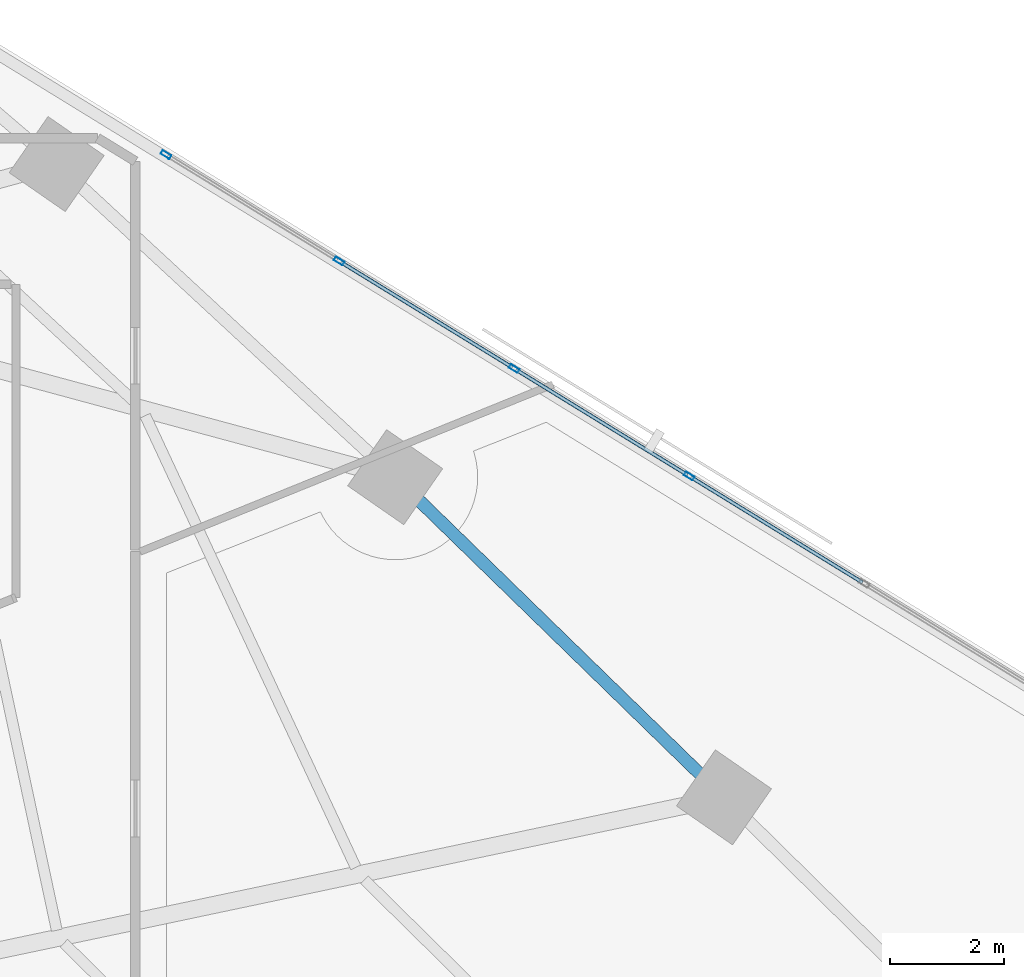
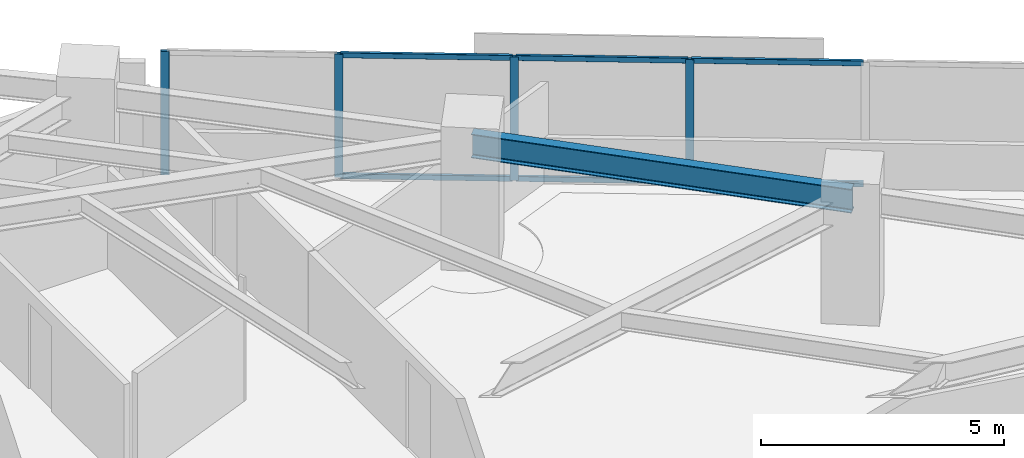
# One storey, part 6 of 20: 10 members, 1 beam, 1 element without a shape of its own.
"""IFC4 building model written with IfcOpenShell, lengths in metres."""

from ifc_helpers import new_model, si_unit, direction, frame, origin, origin_2d, place, context, subcontext, project, spatial, hollow_rectangle, i_section, extrude, material, material_profile, profile_set, type_object, element, aggregate, save


model = new_model("IFC4")

# Units and contexts
model_context = context("Model", 3, precision=1e-05, world=origin(), true_north=direction((0.0, 1.0)))
body_context = subcontext(model_context, "Body", "Model", "MODEL_VIEW")
ifc_project = project(units=[si_unit("LENGTHUNIT", "METRE"), si_unit("AREAUNIT", "SQUARE_METRE"), si_unit("VOLUMEUNIT", "CUBIC_METRE"), si_unit("PLANEANGLEUNIT", "RADIAN"), si_unit("MASSUNIT", "GRAM", prefix="KILO")], contexts=[model_context])

# Site, building, storey
site_placement = place(None, origin())
site = spatial("IfcSite", under=ifc_project, at=site_placement, CompositionType="ELEMENT")
building_placement = place(site_placement, origin())
building = spatial("IfcBuilding", under=site, at=building_placement, Name="Narakoshi Arena Tower", CompositionType="ELEMENT")
storey_placement = place(building_placement, frame((0.0, 0.0, 124.5)))
storey = spatial("IfcBuildingStorey", under=building, at=storey_placement, Name="L33", CompositionType="ELEMENT", Elevation=124.5)

# Beam
ifc_material_1 = material(Name="Structural steel S355J2", Category="steel")
ifc_material_profile_1 = material_profile(ifc_material_1, i_section(OverallWidth=0.219970703125, OverallDepth=0.60009765625, WebThickness=0.011962890625, FlangeThickness=0.01904296875, FilletRadius=0.02392578125, at=origin_2d()), Name="IPE600")
ifc_profile_set_1 = profile_set([ifc_material_profile_1], Name="Structural steel S355J2")
beam_type = type_object("IfcBeamType", Name="BM-EDGE-600", PredefinedType="BEAM", material=ifc_profile_set_1)
beam_placement = place(storey_placement, frame((104.42041015625, 47.33056640625, 2.800048828125), z_axis=(-0.71641187053, 0.697677598726, 0.0), x_axis=(-0.697677598726, -0.71641187053, 0.0)))
element("IfcBeam", 1, at=beam_placement, inside=storey, type_object=beam_type, Name="L33 Perimeter Edge Girder 05", PredefinedType="BEAM", context=body_context, shape_type="SweptSolid", body=[
    extrude(i_section(OverallWidth=0.219970703125, OverallDepth=0.60009765625, WebThickness=0.011962890625, FlangeThickness=0.01904296875, FilletRadius=0.02392578125, at=origin_2d()), origin(), (0.0, 0.0, 1.0), 8.066650390625),
])

# Curtain wall, members
ifc_material_2 = material(Name="Anodised bronze aluminium 6063-T6", Category="aluminium")
curtain_wall_type = type_object("IfcCurtainWallType", Name="CW-HYP-LOW", PredefinedType="NOTDEFINED", material=ifc_material_2)
curtain_wall_placement = place(storey_placement, origin())
curtain_wall = element("IfcCurtainWall", 2, at=curtain_wall_placement, inside=storey, type_object=curtain_wall_type, Name="L33 Folded Hypotenuse Curtain Wall 1-1", PredefinedType="NOTDEFINED")
ifc_material_profile_2 = material_profile(ifc_material_2, hollow_rectangle(XDim=0.074951171875, YDim=0.179931640625, WallThickness=0.00390625, OuterFilletRadius=0.0048828125, at=origin_2d()), Name="MUL180x75x4")
ifc_profile_set_2 = profile_set([ifc_material_profile_2], Name="Anodised bronze aluminium 6063-T6")
member_type_1 = type_object("IfcMemberType", Name="MEM-MUL-180", PredefinedType="MULLION", material=ifc_profile_set_2)
member_1_placement = place(storey_placement, frame((103.81005859375, 52.97802734375, 0.0), z_axis=(0.0, 0.0, 1.0), x_axis=(-0.523357676535, -0.852113104237, 0.0)))
member_1 = element("IfcMember", 3, at=member_1_placement, type_object=member_type_1, Name="CW-01 mullion 6", PredefinedType="MULLION", context=body_context, shape_type="SweptSolid", body=[
    extrude(hollow_rectangle(XDim=0.074951171875, YDim=0.179931640625, WallThickness=0.00390625, OuterFilletRadius=0.0048828125, at=origin_2d()), origin(), (0.0, 0.0, 1.0), 3.10009765625),
])
member_2_placement = place(storey_placement, frame((100.733154296875, 54.86767578125, 0.0), z_axis=(0.0, 0.0, 1.0), x_axis=(-0.523357676535, -0.852113104237, 0.0)))
member_2 = element("IfcMember", 4, at=member_2_placement, type_object=member_type_1, Name="CW-01 mullion 7", PredefinedType="MULLION", context=body_context, shape_type="SweptSolid", body=[
    extrude(hollow_rectangle(XDim=0.074951171875, YDim=0.179931640625, WallThickness=0.00390625, OuterFilletRadius=0.0048828125, at=origin_2d()), origin(), (0.0, 0.0, 1.0), 3.10009765625),
])
member_3_placement = place(storey_placement, frame((97.65625, 56.757568359375, 0.0), z_axis=(0.0, 0.0, 1.0), x_axis=(-0.523357676535, -0.852113104237, 0.0)))
member_3 = element("IfcMember", 5, at=member_3_placement, type_object=member_type_1, Name="CW-01 mullion 8", PredefinedType="MULLION", context=body_context, shape_type="SweptSolid", body=[
    extrude(hollow_rectangle(XDim=0.074951171875, YDim=0.179931640625, WallThickness=0.00390625, OuterFilletRadius=0.0048828125, at=origin_2d()), origin(), (0.0, 0.0, 1.0), 3.10009765625),
])
member_4_placement = place(storey_placement, frame((94.611328125, 58.627685546875, 0.0), z_axis=(0.0, 0.0, 1.0), x_axis=(-0.523357676535, -0.852113104237, 0.0)))
member_4 = element("IfcMember", 6, at=member_4_placement, type_object=member_type_1, Name="CW-01 mullion 9", PredefinedType="MULLION", context=body_context, shape_type="SweptSolid", body=[
    extrude(hollow_rectangle(XDim=0.074951171875, YDim=0.179931640625, WallThickness=0.00390625, OuterFilletRadius=0.0048828125, at=origin_2d()), origin(), (0.0, 0.0, 1.0), 3.10009765625),
])
ifc_material_profile_3 = material_profile(ifc_material_2, hollow_rectangle(XDim=0.06494140625, YDim=0.1298828125, WallThickness=0.00390625, OuterFilletRadius=0.0048828125, at=origin_2d()), Name="TRN130x65x4")
ifc_profile_set_3 = profile_set([ifc_material_profile_3], Name="Anodised bronze aluminium 6063-T6")
member_type_2 = type_object("IfcMemberType", Name="MEM-TRN-130", PredefinedType="USERDEFINED", material=ifc_profile_set_3)
member_5_placement = place(storey_placement, frame((106.85498046875, 51.107666015625, 0.032470703125), z_axis=(-0.852103699909, 0.523372988032, 0.0), x_axis=(-0.523372988032, -0.852103699909, 0.0)))
member_5 = element("IfcMember", 7, at=member_5_placement, type_object=member_type_2, Name="CW-01 transom 5.1", ObjectType="TRANSOM", PredefinedType="USERDEFINED", context=body_context, shape_type="SweptSolid", body=[
    extrude(hollow_rectangle(XDim=0.06494140625, YDim=0.1298828125, WallThickness=0.00390625, OuterFilletRadius=0.0048828125, at=origin_2d()), origin(), (0.0, 0.0, 1.0), 3.535888671875),
])
member_6_placement = place(storey_placement, frame((106.85498046875, 51.107666015625, 3.0673828125), z_axis=(-0.852103699909, 0.523372988032, 0.0), x_axis=(-0.523372988032, -0.852103699909, 0.0)))
member_6 = element("IfcMember", 8, at=member_6_placement, type_object=member_type_2, Name="CW-01 transom 5.2", ObjectType="TRANSOM", PredefinedType="USERDEFINED", context=body_context, shape_type="SweptSolid", body=[
    extrude(hollow_rectangle(XDim=0.06494140625, YDim=0.1298828125, WallThickness=0.00390625, OuterFilletRadius=0.0048828125, at=origin_2d()), origin(), (0.0, 0.0, 1.0), 3.535888671875),
])
member_7_placement = place(storey_placement, frame((103.778076171875, 52.99755859375, 0.032470703125), z_axis=(-0.852103699909, 0.523372988032, 0.0), x_axis=(-0.523372988032, -0.852103699909, 0.0)))
member_7 = element("IfcMember", 9, at=member_7_placement, type_object=member_type_2, Name="CW-01 transom 6.1", ObjectType="TRANSOM", PredefinedType="USERDEFINED", context=body_context, shape_type="SweptSolid", body=[
    extrude(hollow_rectangle(XDim=0.06494140625, YDim=0.1298828125, WallThickness=0.00390625, OuterFilletRadius=0.0048828125, at=origin_2d()), origin(), (0.0, 0.0, 1.0), 3.535888671875),
])
member_8_placement = place(storey_placement, frame((103.778076171875, 52.99755859375, 3.0673828125), z_axis=(-0.852103699909, 0.523372988032, 0.0), x_axis=(-0.523372988032, -0.852103699909, 0.0)))
member_8 = element("IfcMember", 10, at=member_8_placement, type_object=member_type_2, Name="CW-01 transom 6.2", ObjectType="TRANSOM", PredefinedType="USERDEFINED", context=body_context, shape_type="SweptSolid", body=[
    extrude(hollow_rectangle(XDim=0.06494140625, YDim=0.1298828125, WallThickness=0.00390625, OuterFilletRadius=0.0048828125, at=origin_2d()), origin(), (0.0, 0.0, 1.0), 3.535888671875),
])
member_9_placement = place(storey_placement, frame((100.701171875, 54.887451171875, 0.032470703125), z_axis=(-0.852134492111, 0.523322851933, 0.0), x_axis=(-0.523322851933, -0.852134492111, 0.0)))
member_9 = element("IfcMember", 11, at=member_9_placement, type_object=member_type_2, Name="CW-01 transom 7.1", ObjectType="TRANSOM", PredefinedType="USERDEFINED", context=body_context, shape_type="SweptSolid", body=[
    extrude(hollow_rectangle(XDim=0.06494140625, YDim=0.1298828125, WallThickness=0.00390625, OuterFilletRadius=0.0048828125, at=origin_2d()), origin(), (0.0, 0.0, 1.0), 3.53564453125),
])
member_10_placement = place(storey_placement, frame((100.701171875, 54.887451171875, 3.0673828125), z_axis=(-0.852134492111, 0.523322851933, 0.0), x_axis=(-0.523322851933, -0.852134492111, 0.0)))
member_10 = element("IfcMember", 12, at=member_10_placement, type_object=member_type_2, Name="CW-01 transom 7.2", ObjectType="TRANSOM", PredefinedType="USERDEFINED", context=body_context, shape_type="SweptSolid", body=[
    extrude(hollow_rectangle(XDim=0.06494140625, YDim=0.1298828125, WallThickness=0.00390625, OuterFilletRadius=0.0048828125, at=origin_2d()), origin(), (0.0, 0.0, 1.0), 3.53564453125),
])
aggregate(curtain_wall, [member_1, member_2, member_3, member_4, member_5, member_6, member_7, member_8, member_9, member_10])

save(model, "model.ifc")
